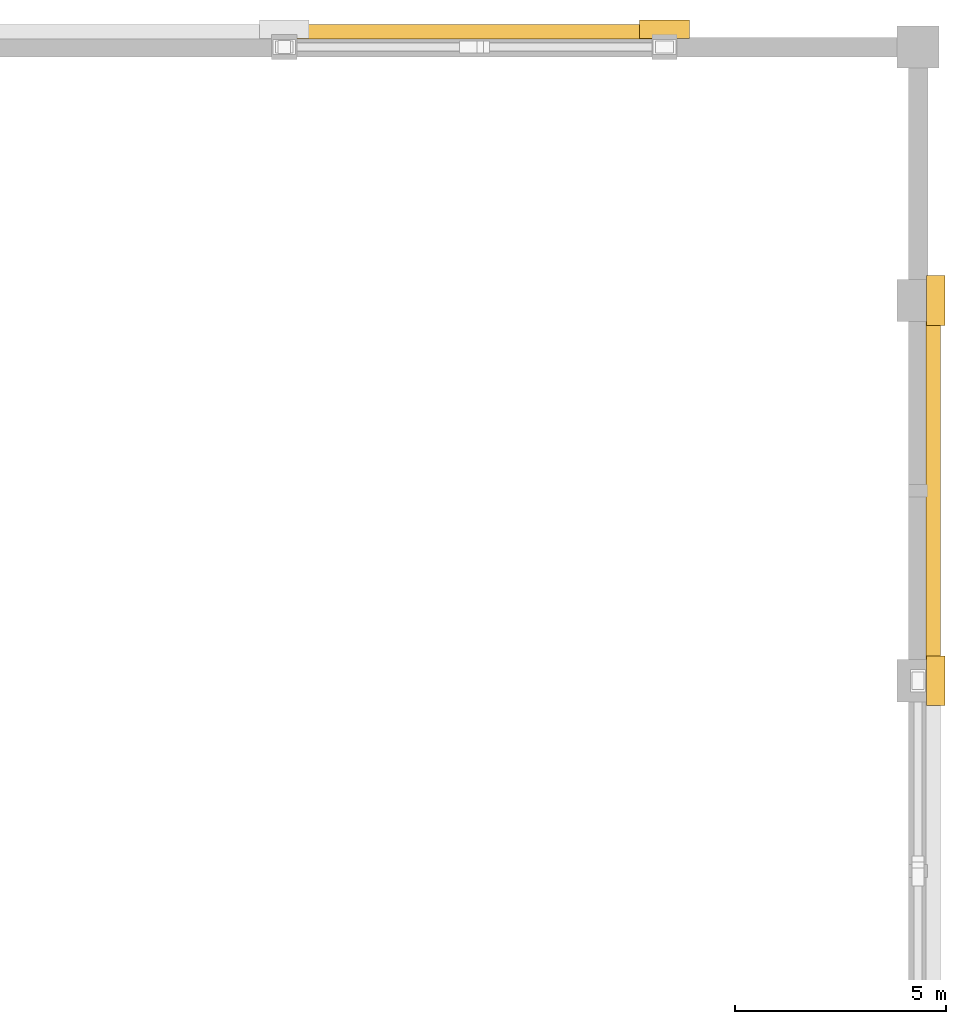
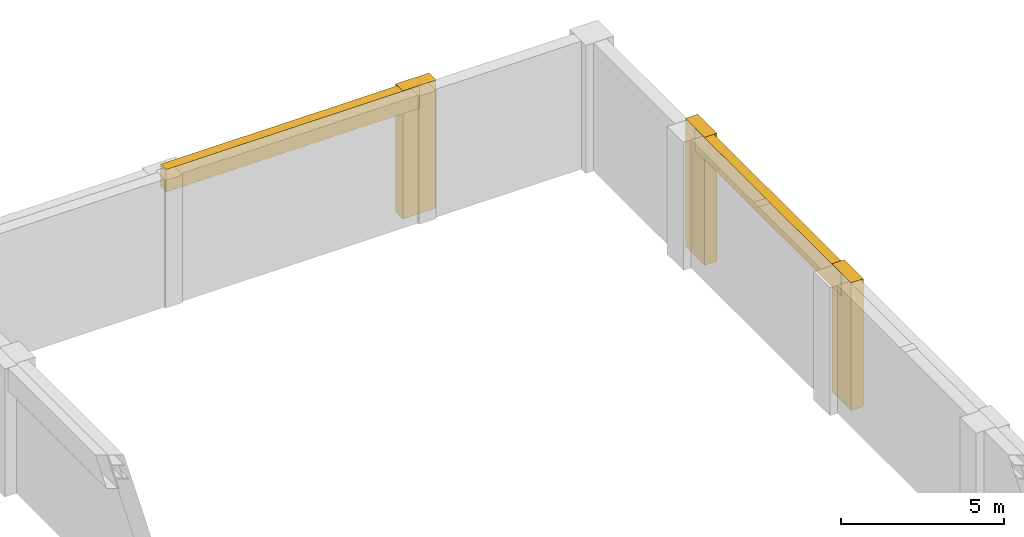
# One storey, part 92 of 92: 5 coverings.
"""IFC4 building model written with IfcOpenShell, lengths in metres."""

import ifcopenshell
import ifcopenshell.guid

model = None  # the IFC model being written
_history = None  # IfcOwnerHistory: only IFC2X3 demands one
_inside = {}  # id of a spatial element -> (the spatial element, [elements in it])
_under = {}  # id of a project, library or spatial element -> (it, [spatial elements below it])
_declared = {}  # id of a project -> (the project, [libraries it declares])
_typed = {}  # id of a type object -> (the type object, [elements of that type])
_made_of = {}  # id of a material, layer set ... -> (it, [elements and type objects made of it])


def new_model(schema):
    """Start an empty IFC model of exactly this schema.

    Asked for "IFC4X3", IfcOpenShell would pick the latest addendum, in which some entities
    have other attributes; the version numbers below select the first issue.
    IFC2X3 requires an IfcOwnerHistory on every rooted entity: one is made here for all.
    """
    global model, _history
    if schema == "IFC4X3":
        model = ifcopenshell.file(schema_version=(4, 3, 0, 0))
    else:
        model = ifcopenshell.file(schema=schema)
    _inside.clear()
    _under.clear()
    _declared.clear()
    _typed.clear()
    _made_of.clear()
    _history = None
    if model.schema == "IFC2X3":
        org = make("IfcOrganization", Name="unknown")
        user = make(
            "IfcPersonAndOrganization",
            ThePerson=make("IfcPerson", FamilyName="unknown"),
            TheOrganization=org,
        )
        app = make(
            "IfcApplication",
            ApplicationDeveloper=org,
            Version="unknown",
            ApplicationFullName="unknown",
            ApplicationIdentifier="unknown",
        )
        _history = make(
            "IfcOwnerHistory",
            OwningUser=user,
            OwningApplication=app,
            ChangeAction="ADDED",
            CreationDate=0,
        )
    return model


def make(cls, **values):
    """One entity of the class cls with the attributes given. An attribute that is None is left unset."""
    return model.create_entity(
        cls, **{name: value for name, value in values.items() if value is not None}
    )


def rooted(cls, **values):
    """An entity with a GlobalId (a new one), such as an element, a storey or a relation."""
    return make(cls, GlobalId=ifcopenshell.guid.new(), OwnerHistory=_history, **values)


def si_unit(unit_type, name, prefix=None):
    """IfcSIUnit, for example si_unit("LENGTHUNIT", "METRE", prefix="MILLI")."""
    return make("IfcSIUnit", UnitType=unit_type, Prefix=prefix, Name=name)


def assignment(units):
    """IfcUnitAssignment: the units of a project."""
    return None if units is None else make("IfcUnitAssignment", Units=units)


def point(xyz):
    """IfcCartesianPoint."""
    return None if xyz is None else make("IfcCartesianPoint", Coordinates=xyz)


def direction(xyz):
    """IfcDirection."""
    return None if xyz is None else make("IfcDirection", DirectionRatios=xyz)


def frame(location, z_axis=None, x_axis=None):
    """IfcAxis2Placement3D, a coordinate frame: its origin and axes. An axis left out is left unset."""
    return make(
        "IfcAxis2Placement3D",
        Location=point(location),
        Axis=direction(z_axis),
        RefDirection=direction(x_axis),
    )


def frame_2d(location, x_axis=None):
    """IfcAxis2Placement2D, a coordinate frame in the plane: its origin and x axis."""
    return make(
        "IfcAxis2Placement2D", Location=point(location), RefDirection=direction(x_axis)
    )


def origin():
    """The frame at (0, 0, 0) with its axes left unset."""
    return frame((0.0, 0.0, 0.0))


def origin_2d():
    """The frame at (0, 0) in the plane with its x axis left unset."""
    return frame_2d((0.0, 0.0))


def place(relative_to, where):
    """IfcLocalPlacement: puts the frame where relative to a parent placement (None: the world)."""
    return make(
        "IfcLocalPlacement", PlacementRelTo=relative_to, RelativePlacement=where
    )


def context(
    kind, dimensions, precision=None, world=None, true_north=None, identifier=None
):
    """IfcGeometricRepresentationContext, for example the 3D "Model" context."""
    return make(
        "IfcGeometricRepresentationContext",
        ContextIdentifier=identifier,
        ContextType=kind,
        CoordinateSpaceDimension=dimensions,
        Precision=precision,
        WorldCoordinateSystem=world,
        TrueNorth=true_north,
    )


def subcontext(parent, identifier, kind, view, scale=None):
    """IfcGeometricRepresentationSubContext, for example "Body" below "Model"."""
    return make(
        "IfcGeometricRepresentationSubContext",
        ContextIdentifier=identifier,
        ContextType=kind,
        ParentContext=parent,
        TargetScale=scale,
        TargetView=view,
    )


def project(units=None, contexts=None):
    """IfcProject with its units and contexts."""
    return rooted(
        "IfcProject",
        Name="project",
        RepresentationContexts=contexts,
        UnitsInContext=assignment(units),
    )


def spatial(cls, under=None, at=None, **own):
    """A site, building, storey or space (cls), placed at a placement, below another one or the project."""
    s = rooted(cls, ObjectPlacement=at, **own)
    if under is not None:
        _under.setdefault(under.id(), (under, []))[1].append(s)
    return s


def profile(cls, at=None, kind="AREA", **sizes):
    """A parametric profile (cls). Its sizes go by their IFC names, for example OverallWidth=200.0."""
    return make(cls, ProfileType=kind, Position=at, **sizes)


def rectangle(**sizes):
    """IfcRectangleProfileDef."""
    return profile("IfcRectangleProfileDef", **sizes)


def extrude(swept, where, along, depth):
    """IfcExtrudedAreaSolid: the profile swept, set in the frame where, extruded along a direction by depth."""
    return make(
        "IfcExtrudedAreaSolid",
        SweptArea=swept,
        Position=where,
        ExtrudedDirection=direction(along),
        Depth=depth,
    )


def shape(context_of_items, identifier, shape_type, items):
    """IfcShapeRepresentation: the items that make up one representation, for example the "Body"."""
    return make(
        "IfcShapeRepresentation",
        ContextOfItems=context_of_items,
        RepresentationIdentifier=identifier,
        RepresentationType=shape_type,
        Items=items,
    )


def material(Name=None, Category=None):
    """IfcMaterial."""
    return make("IfcMaterial", Name=Name, Category=Category)


def layer(
    of_material, thickness, ventilated=None, Name=None, Category=None, Priority=None
):
    """IfcMaterialLayer: one layer of a wall or slab, of a material (None: an air gap)."""
    return make(
        "IfcMaterialLayer",
        Material=of_material,
        LayerThickness=thickness,
        IsVentilated=ventilated,
        Name=Name,
        Category=Category,
        Priority=Priority,
    )


def layer_set(layers, Name=None):
    """IfcMaterialLayerSet."""
    return make("IfcMaterialLayerSet", MaterialLayers=layers, LayerSetName=Name)


def made_of(thing, what):
    """Note that an element or type object is made of a material, layer set ...; save() writes the relation."""
    if what is not None:
        _made_of.setdefault(what.id(), (what, []))[1].append(thing)
    return thing


def type_object(cls, material=None, **own):
    """A type object (cls), such as IfcWallType, which elements share."""
    return made_of(rooted(cls, **own), material)


def element(
    cls,
    number,
    at=None,
    inside=None,
    cuts=None,
    type_object=None,
    material=None,
    context=None,
    identifier="Body",
    shape_type=None,
    held_by="IfcProductDefinitionShape",
    body=None,
    shapes=None,
    **own,
):
    """One element of the class cls, such as IfcWall. Its Tag is "e" and its number.

    at: its placement. inside: the storey or other place that contains it. cuts: it is an
    opening in that element (IfcRelVoidsElement). A single representation is given by context,
    identifier, shape_type and body (its items); several are given by shapes. held_by: the class
    of the entity that holds the representations. save() writes the other relations.
    """
    e = rooted(cls, Tag="e%d" % number, ObjectPlacement=at, **own)
    if body is not None:
        shapes = [shape(context, identifier, shape_type, body)]
    if shapes is not None:
        e.Representation = make(held_by, Representations=shapes)
    if inside is not None:
        _inside.setdefault(inside.id(), (inside, []))[1].append(e)
    if cuts is not None:
        rooted(
            "IfcRelVoidsElement", RelatingBuildingElement=cuts, RelatedOpeningElement=e
        )
    if type_object is not None:
        _typed.setdefault(type_object.id(), (type_object, []))[1].append(e)
    return made_of(e, material)


def aggregate(whole, parts):
    """IfcRelAggregates: a whole, such as a stair, and the parts it consists of."""
    return rooted("IfcRelAggregates", RelatingObject=whole, RelatedObjects=parts)


def save(model, path):
    """Write the relations noted so far, then the file.

    IfcRelAggregates (storeys below a building ...), IfcRelContainedInSpatialStructure (elements
    in a storey), IfcRelDefinesByType, IfcRelAssociatesMaterial and IfcRelDeclares: one each for
    every whole, place, type object, material and project.
    """
    for whole, parts in _under.values():
        aggregate(whole, parts)
    for where, things in _inside.values():
        rooted(
            "IfcRelContainedInSpatialStructure",
            RelatedElements=things,
            RelatingStructure=where,
        )
    for kind, things in _typed.values():
        rooted("IfcRelDefinesByType", RelatedObjects=things, RelatingType=kind)
    for what, things in _made_of.values():
        rooted("IfcRelAssociatesMaterial", RelatedObjects=things, RelatingMaterial=what)
    for by, libraries in _declared.values():
        rooted("IfcRelDeclares", RelatingContext=by, RelatedDefinitions=libraries)
    model.write(path)


model = new_model("IFC4")

# Units and contexts
model_context = context("Model", 3, precision=1e-05, world=origin(), true_north=direction((0.0, 1.0)))
body_context = subcontext(model_context, "Body", "Model", "MODEL_VIEW")
ifc_project = project(units=[si_unit("LENGTHUNIT", "METRE"), si_unit("AREAUNIT", "SQUARE_METRE"), si_unit("VOLUMEUNIT", "CUBIC_METRE"), si_unit("PLANEANGLEUNIT", "RADIAN"), si_unit("MASSUNIT", "GRAM", prefix="KILO")], contexts=[model_context])

# Site, building, storey
site_placement = place(None, origin())
site = spatial("IfcSite", under=ifc_project, at=site_placement, CompositionType="ELEMENT")
building_placement = place(site_placement, origin())
building = spatial("IfcBuilding", under=site, at=building_placement, Name="Lykobir Media Centre", CompositionType="ELEMENT")
storey_placement = place(building_placement, frame((0.0, 0.0, 5.39990234375)))
storey = spatial("IfcBuildingStorey", under=building, at=storey_placement, Name="L01", CompositionType="ELEMENT", Elevation=5.39990234375)

# Coverings
ifc_material = material(Name="Honed Travertine Stone", Category="masonry")
ifc_layer = layer(ifc_material, 0.050048828125, Name="Honed Travertine Stone")
ifc_layer_set = layer_set([ifc_layer], Name="Honed Travertine Stone")
covering_type = type_object("IfcCoveringType", Name="CLD-TRAV", PredefinedType="CLADDING", material=ifc_layer_set)
covering_1_placement = place(storey_placement, frame((168.419921875, 99.0, 0.0), z_axis=(0.0, 0.0, 1.0), x_axis=(0.0, 1.0, 0.0)))
element("IfcCovering", 1, at=covering_1_placement, inside=storey, type_object=covering_type, Name="Stone pilaster 280", PredefinedType="CLADDING", context=body_context, shape_type="SweptSolid", body=[
    extrude(rectangle(XDim=1.179931640625, YDim=0.43994140625, at=origin_2d()), origin(), (0.0, 0.0, 1.0), 4.800048828125),
])
covering_2_placement = place(storey_placement, frame((168.360107421875, 103.5, 3.9599609375), z_axis=(0.0, 0.0, 1.0), x_axis=(0.0, 1.0, 0.0)))
element("IfcCovering", 2, at=covering_2_placement, inside=storey, type_object=covering_type, Name="Acoustic hall cornice band 281", PredefinedType="CLADDING", context=body_context, shape_type="SweptSolid", body=[
    extrude(rectangle(XDim=9.0, YDim=0.340087890625, at=origin_2d()), origin(), (0.0, 0.0, 1.0), 0.840087890625),
])
covering_3_placement = place(storey_placement, frame((168.419921875, 108.0, 0.0), z_axis=(0.0, 0.0, 1.0), x_axis=(0.0, 1.0, 0.0)))
element("IfcCovering", 3, at=covering_3_placement, inside=storey, type_object=covering_type, Name="Stone pilaster 282", PredefinedType="CLADDING", context=body_context, shape_type="SweptSolid", body=[
    extrude(rectangle(XDim=1.179931640625, YDim=0.43994140625, at=origin_2d()), origin(), (0.0, 0.0, 1.0), 4.800048828125),
])
covering_4_placement = place(storey_placement, frame((157.5, 114.360107421875, 3.9599609375), z_axis=(0.0, 0.0, 1.0), x_axis=(-1.0, 0.0, 0.0)))
element("IfcCovering", 4, at=covering_4_placement, inside=storey, type_object=covering_type, Name="Acoustic hall cornice band 286", PredefinedType="CLADDING", context=body_context, shape_type="SweptSolid", body=[
    extrude(rectangle(XDim=9.0, YDim=0.340087890625, at=origin_2d()), origin(), (0.0, 0.0, 1.0), 0.840087890625),
])
covering_5_placement = place(storey_placement, frame((162.0, 114.419921875, 0.0), z_axis=(0.0, 0.0, 1.0), x_axis=(-1.0, 0.0, 0.0)))
element("IfcCovering", 5, at=covering_5_placement, inside=storey, type_object=covering_type, Name="Stone pilaster 287", PredefinedType="CLADDING", context=body_context, shape_type="SweptSolid", body=[
    extrude(rectangle(XDim=1.179931640625, YDim=0.43994140625, at=origin_2d()), origin(), (0.0, 0.0, 1.0), 4.800048828125),
])

save(model, "model.ifc")
